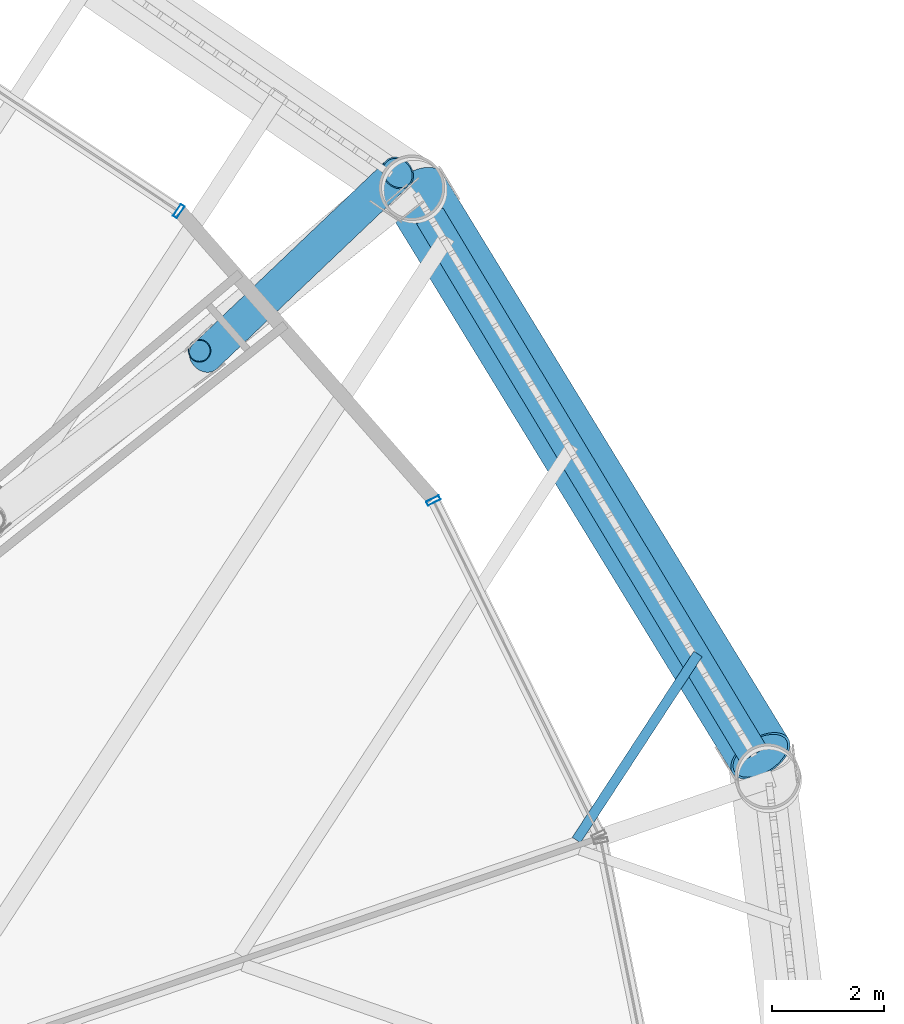
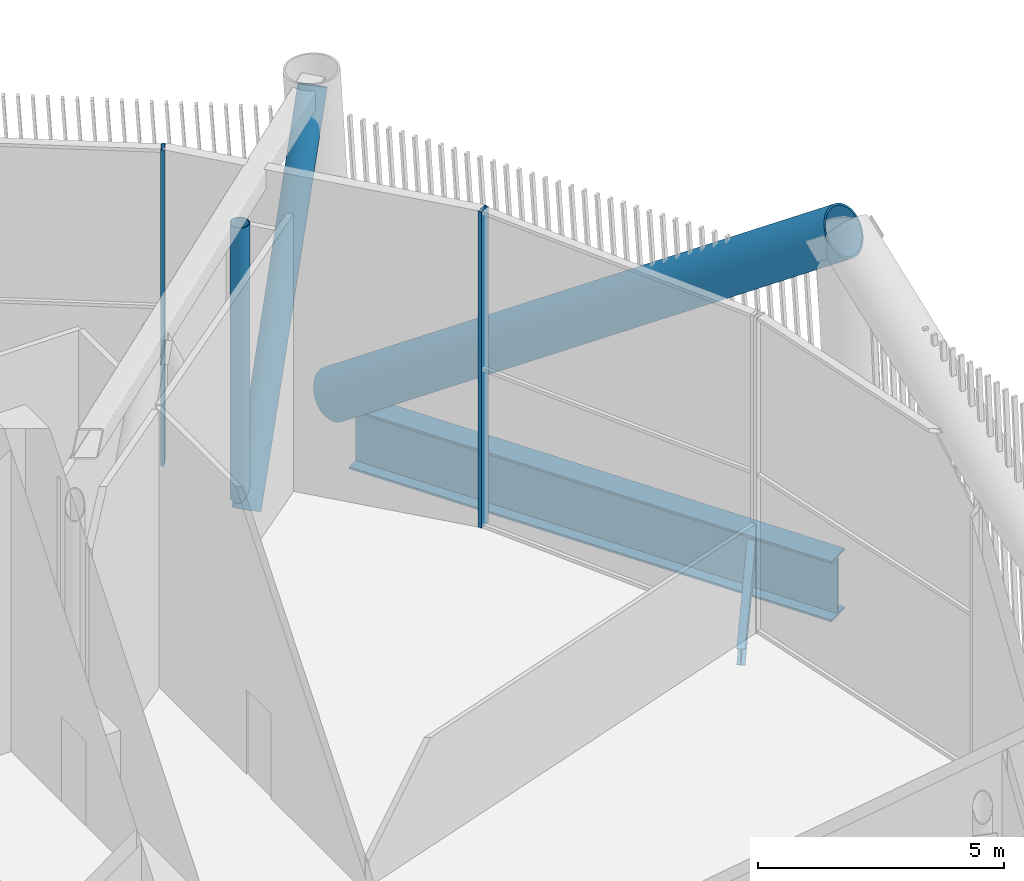
# One storey, part 36 of 63: 5 members, 2 beams, 2 elements without a shape of their own.
"""IFC4 building model written with IfcOpenShell, lengths in metres."""

from ifc_helpers import new_model, si_unit, direction, frame, origin, origin_2d, place, context, subcontext, project, spatial, hollow_rectangle, hollow_circle, i_section, extrude, material, layer, layer_set, material_profile, profile_set, type_object, element, aggregate, save


model = new_model("IFC4")

# Units and contexts
model_context = context("Model", 3, precision=1e-05, world=origin(), true_north=direction((0.0, 1.0)))
body_context = subcontext(model_context, "Body", "Model", "MODEL_VIEW")
ifc_project = project(units=[si_unit("LENGTHUNIT", "METRE"), si_unit("AREAUNIT", "SQUARE_METRE"), si_unit("VOLUMEUNIT", "CUBIC_METRE"), si_unit("PLANEANGLEUNIT", "RADIAN"), si_unit("MASSUNIT", "GRAM", prefix="KILO")], contexts=[model_context])

# Site, building, storey
site_placement = place(None, origin())
site = spatial("IfcSite", under=ifc_project, at=site_placement, CompositionType="ELEMENT")
building_placement = place(site_placement, origin())
building = spatial("IfcBuilding", under=site, at=building_placement, Name="Tarsis Ring Headquarters", CompositionType="ELEMENT")
storey_placement = place(building_placement, frame((0.0, 0.0, 139.60009765625)))
storey = spatial("IfcBuildingStorey", under=building, at=storey_placement, Name="L32", CompositionType="ELEMENT", Elevation=139.60009765625)

# Curtain wall, member
ifc_material_1 = material(Name="Aluminium curtain wall", Category="aluminium")
ifc_layer = layer(ifc_material_1, 0.25)
ifc_layer_set = layer_set([ifc_layer], Name="Curtain wall sky lobby")
curtain_wall_type = type_object("IfcCurtainWallType", Name="Curtain wall sky lobby", PredefinedType="NOTDEFINED", material=ifc_layer_set)
curtain_wall_1_placement = place(storey_placement, origin())
curtain_wall_1 = element("IfcCurtainWall", 1, at=curtain_wall_1_placement, inside=storey, type_object=curtain_wall_type, Name="Curtain wall L32-24", PredefinedType="NOTDEFINED")
ifc_material_2 = material(Name="Aluminium mullion", Category="aluminium")
ifc_material_profile_1 = material_profile(ifc_material_2, hollow_rectangle(XDim=0.25, YDim=0.080078125, WallThickness=0.0048828125, at=origin_2d()), Name="RHS 250x80x5")
ifc_profile_set_1 = profile_set([ifc_material_profile_1], Name="Aluminium mullion")
member_type_1 = type_object("IfcMemberType", Name="Curtain wall mullion sky lobby RHS 250x80x5", PredefinedType="MULLION", material=ifc_profile_set_1)
member_1_placement = place(storey_placement, frame((21.515869140625, 14.35791015625, 0.0), z_axis=(0.0, 0.0, 1.0), x_axis=(-0.896176883918, -0.443696960471, 0.0)))
member_1 = element("IfcMember", 2, at=member_1_placement, type_object=member_type_1, Name="CW-S mullion 2", PredefinedType="MULLION", context=body_context, shape_type="SweptSolid", body=[
    extrude(hollow_rectangle(XDim=0.25, YDim=0.080078125, WallThickness=0.0048828125, at=origin_2d()), origin(), (0.0, 0.0, 1.0), 7.83984375),
])
aggregate(curtain_wall_1, [member_1])

curtain_wall_2_placement = place(storey_placement, origin())
curtain_wall_2 = element("IfcCurtainWall", 3, at=curtain_wall_2_placement, inside=storey, type_object=curtain_wall_type, Name="Curtain wall L32-26", PredefinedType="NOTDEFINED")
member_2_placement = place(storey_placement, frame((16.982177734375, 19.51123046875, 0.0), z_axis=(0.0, 0.0, 1.0), x_axis=(-0.554263440719, -0.832341299157, 0.0)))
member_2 = element("IfcMember", 4, at=member_2_placement, type_object=member_type_1, Name="CW-S mullion 1", PredefinedType="MULLION", context=body_context, shape_type="SweptSolid", body=[
    extrude(hollow_rectangle(XDim=0.25, YDim=0.080078125, WallThickness=0.0048828125, at=origin_2d()), origin(), (0.0, 0.0, 1.0), 7.83984375),
])
aggregate(curtain_wall_2, [member_2])

# Beam
ifc_material_3 = material(Name="Structural steel S355", Category="steel")
ifc_material_profile_2 = material_profile(ifc_material_3, i_section(OverallWidth=0.177734375, OverallDepth=0.406494140625, WebThickness=0.0078125, FlangeThickness=0.0126953125, at=origin_2d()), Name="W16x40")
ifc_profile_set_2 = profile_set([ifc_material_profile_2], Name="Structural steel S355")
beam_type_1 = type_object("IfcBeamType", Name="FB Floor beam W16x40", PredefinedType="JOIST", material=ifc_profile_set_2)
beam_1_placement = place(storey_placement, frame((26.23046875, 11.625244140625, -0.50341796875), z_axis=(-0.546995239564, -0.837135716533, 0.0), x_axis=(0.837135716533, -0.546995239564, 0.0)))
element("IfcBeam", 5, at=beam_1_placement, inside=storey, type_object=beam_type_1, Name="Floor beam FB1", PredefinedType="JOIST", context=body_context, shape_type="SweptSolid", body=[
    extrude(i_section(OverallWidth=0.177734375, OverallDepth=0.406494140625, WebThickness=0.0078125, FlangeThickness=0.0126953125, at=origin_2d()), origin(), (0.0, 0.0, 1.0), 3.960693359375),
])

# Members
ifc_material_profile_3 = material_profile(ifc_material_3, hollow_circle(Radius=0.3046875, WallThickness=0.02490234375, at=origin_2d()), Name="CHS 610x25")
ifc_profile_set_3 = profile_set([ifc_material_profile_3], Name="Structural steel S355")
member_type_2 = type_object("IfcMemberType", Name="OD Outrigger diagonal CHS 610x25", PredefinedType="BRACE", material=ifc_profile_set_3)
member_3_placement = place(storey_placement, frame((17.44775390625, 16.924072265625, 0.25390625), z_axis=(0.393443126406, 0.374233729218, 0.839733066039), x_axis=(-0.689197281912, 0.724573741317, 0.0)))
element("IfcMember", 6, at=member_3_placement, inside=storey, type_object=member_type_2, Name="Outrigger diagonal OD1", PredefinedType="BRACE", context=body_context, shape_type="SweptSolid", body=[
    extrude(hollow_circle(Radius=0.3046875, WallThickness=0.02490234375, at=origin_2d()), origin(), (0.0, 0.0, 1.0), 8.7314453125),
])
ifc_material_profile_4 = material_profile(ifc_material_3, hollow_circle(Radius=0.203125, WallThickness=0.01611328125, at=origin_2d()), Name="CHS 406x16")
ifc_profile_set_4 = profile_set([ifc_material_profile_4], Name="Structural steel S355")
member_type_3 = type_object("IfcMemberType", Name="OV Outrigger post CHS 406x16", PredefinedType="STRUT", material=ifc_profile_set_4)
member_4_placement = place(storey_placement, frame((17.3515625, 17.025146484375, 0.5078125), z_axis=(0.0, 0.0, 1.0), x_axis=(1.0, 0.0, 0.0)))
element("IfcMember", 7, at=member_4_placement, inside=storey, type_object=member_type_3, Name="Outrigger post OV1", PredefinedType="STRUT", context=body_context, shape_type="SweptSolid", body=[
    extrude(hollow_circle(Radius=0.203125, WallThickness=0.01611328125, at=origin_2d()), origin(), (0.0, 0.0, 1.0), 6.823974609375),
])
ifc_material_profile_5 = material_profile(ifc_material_3, hollow_circle(Radius=0.584228515625, WallThickness=0.044921875, at=origin_2d()), Name="CHS 1168x45")
ifc_profile_set_5 = profile_set([ifc_material_profile_5], Name="Structural steel S355")
member_type_4 = type_object("IfcMemberType", Name="TD Belt truss diagonal CHS 1168x45", PredefinedType="BRACE", material=ifc_profile_set_5)
member_5_placement = place(storey_placement, frame((21.181640625, 19.878662109375, 0.0), z_axis=(0.43202545501, -0.706075924965, 0.56108002496), x_axis=(0.852994335946, 0.521920169033, 0.0)))
element("IfcMember", 8, at=member_5_placement, inside=storey, type_object=member_type_4, Name="Belt truss diagonal TD3", PredefinedType="BRACE", context=body_context, shape_type="SweptSolid", body=[
    extrude(hollow_circle(Radius=0.584228515625, WallThickness=0.044921875, at=origin_2d()), origin(), (0.0, 0.0, 1.0), 14.25830078125),
])

# Beam
ifc_material_profile_6 = material_profile(ifc_material_3, i_section(OverallWidth=0.550048828125, OverallDepth=1.5, WebThickness=0.030029296875, FlangeThickness=0.050048828125, at=origin_2d()), Name="PG 1500x550x30x50")
ifc_profile_set_6 = profile_set([ifc_material_profile_6], Name="Structural steel S355")
beam_type_2 = type_object("IfcBeamType", Name="XG Ring girder PG 1500x550x30x50", PredefinedType="BEAM", material=ifc_profile_set_6)
beam_2_placement = place(storey_placement, frame((27.221435546875, 9.8310546875, -0.75), z_axis=(-0.515210594627, 0.857063616766, 0.0), x_axis=(-0.857063616766, -0.515210594627, 0.0)))
element("IfcBeam", 9, at=beam_2_placement, inside=storey, type_object=beam_type_2, Name="Ring girder XG6", PredefinedType="BEAM", context=body_context, shape_type="SweptSolid", body=[
    extrude(i_section(OverallWidth=0.550048828125, OverallDepth=1.5, WebThickness=0.030029296875, FlangeThickness=0.050048828125, at=origin_2d()), origin(), (0.0, 0.0, 1.0), 11.197509765625),
])

save(model, "model.ifc")
